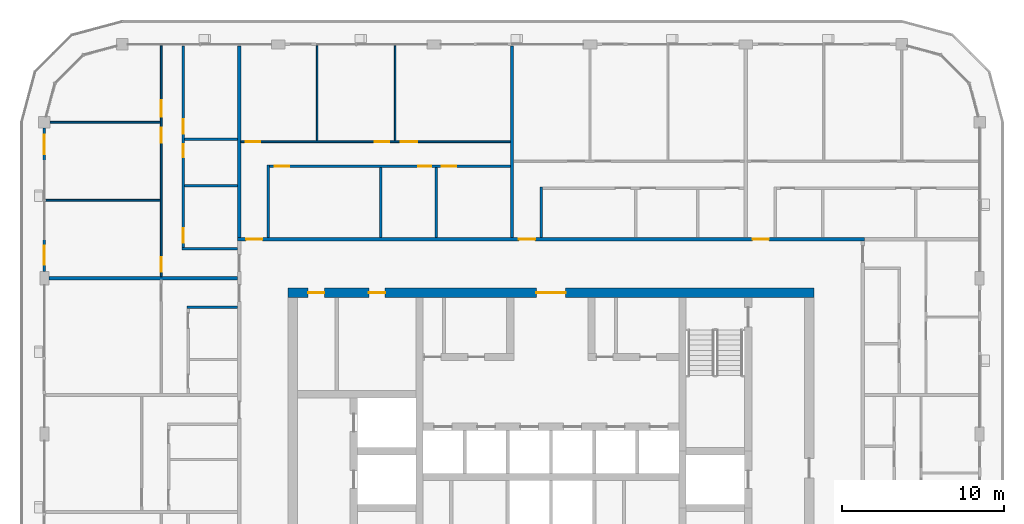
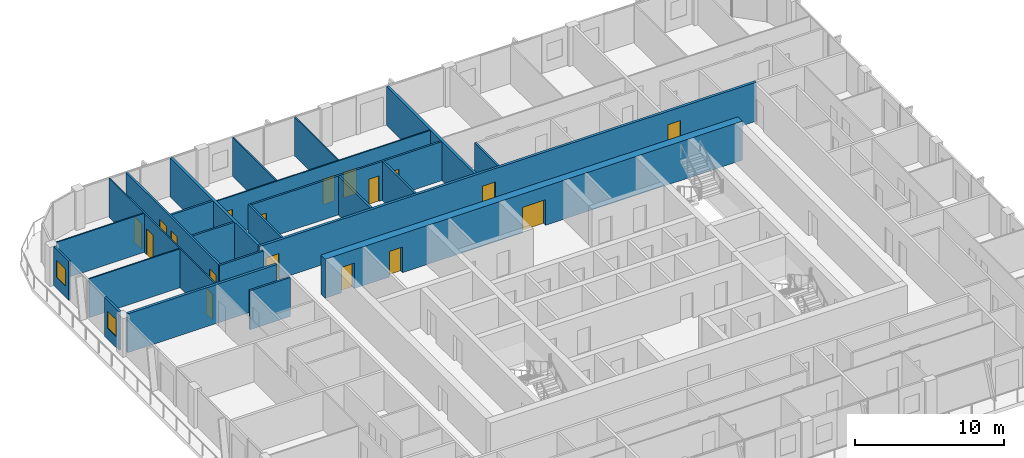
# One storey, part 14 of 22: 23 walls, 18 doors, 2 windows, 20 openings.
"""IFC4 building model written with IfcOpenShell, lengths in metres."""

from ifc_helpers import new_model, si_unit, direction, frame, frame_2d, origin, place, context, subcontext, project, spatial, rectangle, extrude, material, layer, layer_set, type_object, element, fill, save


model = new_model("IFC4")

# Units and contexts
model_context = context("Model", 3, precision=1e-05, world=origin(), true_north=direction((0.0, 1.0)))
body_context = subcontext(model_context, "Body", "Model", "MODEL_VIEW")
ifc_project = project(units=[si_unit("LENGTHUNIT", "METRE"), si_unit("AREAUNIT", "SQUARE_METRE"), si_unit("VOLUMEUNIT", "CUBIC_METRE"), si_unit("PLANEANGLEUNIT", "RADIAN"), si_unit("MASSUNIT", "GRAM", prefix="KILO")], contexts=[model_context])

# Site, building, storey
site_placement = place(None, origin())
site = spatial("IfcSite", under=ifc_project, at=site_placement, CompositionType="ELEMENT")
building_placement = place(site_placement, origin())
building = spatial("IfcBuilding", under=site, at=building_placement, Name="Madar Terraces", CompositionType="ELEMENT")
storey_placement = place(building_placement, frame((0.0, 0.0, 256.199951171875)))
storey = spatial("IfcBuildingStorey", under=building, at=storey_placement, Name="L67", CompositionType="ELEMENT", Elevation=256.199951171875)

# Wall, openings, doors
ifc_material_1 = material(Name="Concrete C55/67", Category="concrete")
ifc_layer_1 = layer(ifc_material_1, 0.60009765625)
ifc_layer_set_1 = layer_set([ifc_layer_1], Name="Concrete C55/67 (CRW5 RC wall 600)")
wall_type_1 = type_object("IfcWallType", Name="CRW5 RC wall 600", PredefinedType="SHEAR", material=ifc_layer_set_1)
wall_1_placement = place(storey_placement, frame((15.0, 37.5, 0.0), z_axis=(0.0, 0.0, 1.0), x_axis=(1.0, 0.0, 0.0)))
wall_1 = element("IfcWall", 1, at=wall_1_placement, inside=storey, type_object=wall_type_1, Name="CORE OUTER WALL", PredefinedType="SHEAR", context=body_context, shape_type="SweptSolid", body=[
    extrude(rectangle(XDim=32.39990234375, YDim=0.60009765625, at=frame_2d((16.199951171875, 0.0))), origin(), (0.0, 0.0, 1.0), 3.199951171875),
])
opening_1_placement = place(wall_1_placement, frame((15.300048828125, 0.0, 0.0)))
opening_1 = element("IfcOpeningElement", 2, at=opening_1_placement, cuts=wall_1, Name="Opening KD1", PredefinedType="OPENING", context=body_context, shape_type="SweptSolid", body=[
    extrude(rectangle(XDim=1.800048828125, YDim=2.10009765625, at=frame_2d((0.89990234375, 1.050048828125))), frame((0.0, 0.31005859375, 0.0), z_axis=(0.0, -1.0, 0.0), x_axis=(1.0, 0.0, 0.0)), (0.0, 0.0, 1.0), 0.6201171875),
])
opening_2_placement = place(wall_1_placement, frame((1.25048828125, 0.0, 0.0)))
opening_2 = element("IfcOpeningElement", 3, at=opening_2_placement, cuts=wall_1, Name="Opening KD2", PredefinedType="OPENING", context=body_context, shape_type="SweptSolid", body=[
    extrude(rectangle(XDim=1.0, YDim=2.10009765625, at=frame_2d((0.5, 1.050048828125))), frame((0.0, 0.31005859375, 0.0), z_axis=(0.0, -1.0, 0.0), x_axis=(1.0, 0.0, 0.0)), (0.0, 0.0, 1.0), 0.6201171875),
])
opening_3_placement = place(wall_1_placement, frame((4.98779296875, 0.0, 0.0)))
opening_3 = element("IfcOpeningElement", 4, at=opening_3_placement, cuts=wall_1, Name="Opening KD2", PredefinedType="OPENING", context=body_context, shape_type="SweptSolid", body=[
    extrude(rectangle(XDim=1.0, YDim=2.10009765625, at=frame_2d((0.5, 1.050048828125))), frame((0.0, 0.31005859375, 0.0), z_axis=(0.0, -1.0, 0.0), x_axis=(1.0, 0.0, 0.0)), (0.0, 0.0, 1.0), 0.6201171875),
])
ifc_material_2 = material(Name="Steel door leaf", Category="steel")
door_type_1 = type_object("IfcDoorType", Name="Lobby door pair 1800 x 2100", OperationType="DOUBLE_DOOR_SINGLE_SWING", PredefinedType="DOOR", material=ifc_material_2)
door_1_placement = place(opening_1_placement, origin())
door_1 = element("IfcDoor", 5, at=door_1_placement, inside=storey, type_object=door_type_1, Name="LIFT LOBBY DOOR", OperationType="DOUBLE_DOOR_SINGLE_SWING", OverallHeight=2.10009765625, OverallWidth=1.800048828125, PredefinedType="DOOR", context=body_context, shape_type="SweptSolid", body=[
    extrude(rectangle(XDim=1.800048828125, YDim=2.10009765625, at=frame_2d((0.89990234375, 1.050048828125))), frame((0.0, 0.02490234375, 0.0), z_axis=(0.0, -1.0, 0.0), x_axis=(1.0, 0.0, 0.0)), (0.0, 0.0, 1.0), 0.050048828125),
])
fill(opening_1, door_1)
ifc_material_3 = material(Name="Steel door leaf", Category="steel")
door_type_2 = type_object("IfcDoorType", Name="Service room door 1000 x 2100", OperationType="NOTDEFINED", PredefinedType="DOOR", material=ifc_material_3)
door_2_placement = place(opening_2_placement, origin())
door_2 = element("IfcDoor", 6, at=door_2_placement, inside=storey, type_object=door_type_2, Name="SERVICE ROOM DOOR", OperationType="SINGLE_SWING_RIGHT", OverallHeight=2.10009765625, OverallWidth=1.0, PredefinedType="DOOR", context=body_context, shape_type="SweptSolid", body=[
    extrude(rectangle(XDim=1.0, YDim=2.10009765625, at=frame_2d((0.5, 1.050048828125))), frame((0.0, 0.02490234375, 0.0), z_axis=(0.0, -1.0, 0.0), x_axis=(1.0, 0.0, 0.0)), (0.0, 0.0, 1.0), 0.050048828125),
])
fill(opening_2, door_2)
door_3_placement = place(opening_3_placement, origin())
door_3 = element("IfcDoor", 7, at=door_3_placement, inside=storey, type_object=door_type_2, Name="SERVICE ROOM DOOR", OperationType="SINGLE_SWING_LEFT", OverallHeight=2.10009765625, OverallWidth=1.0, PredefinedType="DOOR", context=body_context, shape_type="SweptSolid", body=[
    extrude(rectangle(XDim=1.0, YDim=2.10009765625, at=frame_2d((0.5, 1.050048828125))), frame((0.0, 0.02490234375, 0.0), z_axis=(0.0, -1.0, 0.0), x_axis=(1.0, 0.0, 0.0)), (0.0, 0.0, 1.0), 0.050048828125),
])
fill(opening_3, door_3)

# Wall, opening, window
ifc_material_4 = material(Name="Aluminium composite panel, black, over insulated backing", Category="aluminium")
ifc_layer_2 = layer(ifc_material_4, 0.14990234375)
ifc_layer_set_2 = layer_set([ifc_layer_2], Name="Facade bay panel 150")
wall_type_2 = type_object("IfcWallType", Name="Facade bay panel 150", PredefinedType="SOLIDWALL", material=ifc_layer_set_2)
wall_2_placement = place(storey_placement, frame((0.0, 47.64990234375, 0.0), z_axis=(0.0, 0.0, 1.0), x_axis=(0.0, -1.0, 0.0)))
wall_2 = element("IfcWall", 8, at=wall_2_placement, inside=storey, type_object=wall_type_2, Name="Facade bay panel", PredefinedType="SOLIDWALL", context=body_context, shape_type="SweptSolid", body=[
    extrude(rectangle(XDim=2.0498046875, YDim=0.14990234375, at=frame_2d((1.02490234375, 0.0))), origin(), (0.0, 0.0, 1.0), 3.199951171875),
])
opening_4_placement = place(wall_2_placement, frame((0.425048828125, 0.0, 0.89990234375)))
opening_4 = element("IfcOpeningElement", 9, at=opening_4_placement, cuts=wall_2, Name="Opening W1", PredefinedType="OPENING", context=body_context, shape_type="SweptSolid", body=[
    extrude(rectangle(XDim=1.199951171875, YDim=1.39990234375, at=frame_2d((0.60009765625, 0.699951171875))), frame((0.0, 0.0849609375, 0.0), z_axis=(0.0, -1.0, 0.0), x_axis=(1.0, 0.0, 0.0)), (0.0, 0.0, 1.0), 0.169921875),
])
ifc_material_5 = material(Name="Glass, clear, with black aluminium frame", Category="aluminium")
window_type = type_object("IfcWindowType", Name="Vent window 1200 x 1400", PartitioningType="SINGLE_PANEL", PredefinedType="WINDOW", material=ifc_material_5)
window_1_placement = place(opening_4_placement, origin())
window_1 = element("IfcWindow", 10, at=window_1_placement, inside=storey, type_object=window_type, Name="Operable vent window", OverallHeight=1.39990234375, OverallWidth=1.199951171875, PartitioningType="SINGLE_PANEL", PredefinedType="WINDOW", context=body_context, shape_type="SweptSolid", body=[
    extrude(rectangle(XDim=1.199951171875, YDim=1.39990234375, at=frame_2d((0.60009765625, 0.699951171875))), frame((0.0, 0.030029296875, 0.0), z_axis=(0.0, -1.0, 0.0), x_axis=(1.0, 0.0, 0.0)), (0.0, 0.0, 1.0), 0.06005859375),
])
fill(opening_4, window_1)

wall_3_placement = place(storey_placement, frame((0.0, 40.800048828125, 0.0), z_axis=(0.0, 0.0, 1.0), x_axis=(0.0, -1.0, 0.0)))
wall_3 = element("IfcWall", 11, at=wall_3_placement, inside=storey, type_object=wall_type_2, Name="Facade bay panel", PredefinedType="SOLIDWALL", context=body_context, shape_type="SweptSolid", body=[
    extrude(rectangle(XDim=1.97509765625, YDim=0.14990234375, at=frame_2d((0.987548828125, 0.0))), origin(), (0.0, 0.0, 1.0), 3.199951171875),
])
opening_5_placement = place(wall_3_placement, frame((0.387451171875, 0.0, 0.89990234375)))
opening_5 = element("IfcOpeningElement", 12, at=opening_5_placement, cuts=wall_3, Name="Opening W1", PredefinedType="OPENING", context=body_context, shape_type="SweptSolid", body=[
    extrude(rectangle(XDim=1.199951171875, YDim=1.39990234375, at=frame_2d((0.60009765625, 0.699951171875))), frame((0.0, 0.0849609375, 0.0), z_axis=(0.0, -1.0, 0.0), x_axis=(1.0, 0.0, 0.0)), (0.0, 0.0, 1.0), 0.169921875),
])
window_2_placement = place(opening_5_placement, origin())
window_2 = element("IfcWindow", 13, at=window_2_placement, inside=storey, type_object=window_type, Name="Operable vent window", OverallHeight=1.39990234375, OverallWidth=1.199951171875, PartitioningType="SINGLE_PANEL", PredefinedType="WINDOW", context=body_context, shape_type="SweptSolid", body=[
    extrude(rectangle(XDim=1.199951171875, YDim=1.39990234375, at=frame_2d((0.60009765625, 0.699951171875))), frame((0.0, 0.030029296875, 0.0), z_axis=(0.0, -1.0, 0.0), x_axis=(1.0, 0.0, 0.0)), (0.0, 0.0, 1.0), 0.06005859375),
])
fill(opening_5, window_2)

# Walls
ifc_material_6 = material(Name="Gypsum board on steel studs", Category="steel")
ifc_layer_3 = layer(ifc_material_6, 0.10009765625)
ifc_layer_set_3 = layer_set([ifc_layer_3], Name="Flat partition 100")
wall_type_3 = type_object("IfcWallType", Name="Flat partition 100", PredefinedType="PARTITIONING", material=ifc_layer_set_3)
for number, where, z_axis, x_axis, name in (
    (14, (16.800048828125, 46.85009765625, 0.0), (0.0, 0.0, 1.0), (0.0, 1.0, 0.0), "Flat partition 100"),
    (15, (21.60009765625, 46.85009765625, 0.0), (0.0, 0.0, 1.0), (0.0, 1.0, 0.0), "Flat partition 100"),
):
    element("IfcWall", number, at=place(storey_placement, frame(where, z_axis=z_axis, x_axis=x_axis)), inside=storey, type_object=wall_type_3, Name=name, PredefinedType="PARTITIONING", context=body_context, shape_type="SweptSolid", body=[
        extrude(rectangle(XDim=5.849853515625, YDim=0.10009765625, at=frame_2d((2.9248046875, 0.0))), origin(), (0.0, 0.0, 1.0), 3.199951171875),
    ])

# Wall, openings, doors
wall_4_placement = place(storey_placement, frame((12.10009765625, 46.800048828125, 0.0), z_axis=(0.0, 0.0, 1.0), x_axis=(1.0, 0.0, 0.0)))
wall_4 = element("IfcWall", 16, at=wall_4_placement, inside=storey, type_object=wall_type_3, Name="Flat partition 100", PredefinedType="PARTITIONING", context=body_context, shape_type="SweptSolid", body=[
    extrude(rectangle(XDim=16.599853515625, YDim=0.10009765625, at=frame_2d((8.2998046875, 0.0))), origin(), (0.0, 0.0, 1.0), 3.199951171875),
])
opening_6_placement = place(wall_4_placement, frame((0.300048828125, 0.0, 0.0)))
opening_6 = element("IfcOpeningElement", 17, at=opening_6_placement, cuts=wall_4, Name="Opening D2", PredefinedType="OPENING", context=body_context, shape_type="SweptSolid", body=[
    extrude(rectangle(XDim=0.89990234375, YDim=2.10009765625, at=frame_2d((0.449951171875, 1.050048828125))), frame((0.0, 0.06005859375, 0.0), z_axis=(0.0, -1.0, 0.0), x_axis=(1.0, 0.0, 0.0)), (0.0, 0.0, 1.0), 0.1201171875),
])
opening_7_placement = place(wall_4_placement, frame((8.25, 0.0, 0.0)))
opening_7 = element("IfcOpeningElement", 18, at=opening_7_placement, cuts=wall_4, Name="Opening D2", PredefinedType="OPENING", context=body_context, shape_type="SweptSolid", body=[
    extrude(rectangle(XDim=0.89990234375, YDim=2.10009765625, at=frame_2d((0.449951171875, 1.050048828125))), frame((0.0, 0.06005859375, 0.0), z_axis=(0.0, -1.0, 0.0), x_axis=(1.0, 0.0, 0.0)), (0.0, 0.0, 1.0), 0.1201171875),
])
opening_8_placement = place(wall_4_placement, frame((9.85009765625, 0.0, 0.0)))
opening_8 = element("IfcOpeningElement", 19, at=opening_8_placement, cuts=wall_4, Name="Opening D3", PredefinedType="OPENING", context=body_context, shape_type="SweptSolid", body=[
    extrude(rectangle(XDim=1.0, YDim=2.10009765625, at=frame_2d((0.5, 1.050048828125))), frame((0.0, 0.06005859375, 0.0), z_axis=(0.0, -1.0, 0.0), x_axis=(1.0, 0.0, 0.0)), (0.0, 0.0, 1.0), 0.1201171875),
])
ifc_material_7 = material(Name="Timber door leaf", Category="wood")
door_type_3 = type_object("IfcDoorType", Name="Flat living room door 1000", OperationType="NOTDEFINED", PredefinedType="DOOR", material=ifc_material_7)
door_4_placement = place(opening_8_placement, origin())
door_4 = element("IfcDoor", 20, at=door_4_placement, inside=storey, type_object=door_type_3, Name="Flat living room door 1000", OperationType="SINGLE_SWING_LEFT", OverallHeight=2.10009765625, OverallWidth=1.0, PredefinedType="DOOR", context=body_context, shape_type="SweptSolid", body=[
    extrude(rectangle(XDim=1.0, YDim=2.10009765625, at=frame_2d((0.5, 1.050048828125))), frame((0.0, 0.02490234375, 0.0), z_axis=(0.0, -1.0, 0.0), x_axis=(1.0, 0.0, 0.0)), (0.0, 0.0, 1.0), 0.050048828125),
])
fill(opening_8, door_4)
ifc_material_8 = material(Name="Timber door leaf", Category="wood")
door_type_4 = type_object("IfcDoorType", Name="Flat room door 900", OperationType="NOTDEFINED", PredefinedType="DOOR", material=ifc_material_8)
door_5_placement = place(opening_6_placement, origin())
door_5 = element("IfcDoor", 21, at=door_5_placement, inside=storey, type_object=door_type_4, Name="Flat room door 900", OperationType="SINGLE_SWING_LEFT", OverallHeight=2.10009765625, OverallWidth=0.89990234375, PredefinedType="DOOR", context=body_context, shape_type="SweptSolid", body=[
    extrude(rectangle(XDim=0.89990234375, YDim=2.10009765625, at=frame_2d((0.449951171875, 1.050048828125))), frame((0.0, 0.02490234375, 0.0), z_axis=(0.0, -1.0, 0.0), x_axis=(1.0, 0.0, 0.0)), (0.0, 0.0, 1.0), 0.050048828125),
])
fill(opening_6, door_5)
door_6_placement = place(opening_7_placement, origin())
door_6 = element("IfcDoor", 22, at=door_6_placement, inside=storey, type_object=door_type_4, Name="Flat room door 900", OperationType="SINGLE_SWING_RIGHT", OverallHeight=2.10009765625, OverallWidth=0.89990234375, PredefinedType="DOOR", context=body_context, shape_type="SweptSolid", body=[
    extrude(rectangle(XDim=0.89990234375, YDim=2.10009765625, at=frame_2d((0.449951171875, 1.050048828125))), frame((0.0, 0.02490234375, 0.0), z_axis=(0.0, -1.0, 0.0), x_axis=(1.0, 0.0, 0.0)), (0.0, 0.0, 1.0), 0.050048828125),
])
fill(opening_7, door_6)

# Walls
wall_5_placement = place(storey_placement, frame((7.14990234375, 43.199951171875, 0.0), z_axis=(0.0, 0.0, 1.0), x_axis=(-1.0, 0.0, 0.0)))
element("IfcWall", 23, at=wall_5_placement, inside=storey, type_object=wall_type_3, Name="Flat partition 100", PredefinedType="PARTITIONING", context=body_context, shape_type="SweptSolid", body=[
    extrude(rectangle(XDim=7.0498046875, YDim=0.10009765625, at=frame_2d((3.52490234375, 0.0))), origin(), (0.0, 0.0, 1.0), 3.199951171875),
])
wall_6_placement = place(storey_placement, frame((7.14990234375, 48.0, 0.0), z_axis=(0.0, 0.0, 1.0), x_axis=(-1.0, 0.0, 0.0)))
element("IfcWall", 24, at=wall_6_placement, inside=storey, type_object=wall_type_3, Name="Flat partition 100", PredefinedType="PARTITIONING", context=body_context, shape_type="SweptSolid", body=[
    extrude(rectangle(XDim=6.7998046875, YDim=0.10009765625, at=frame_2d((3.39990234375, 0.0))), origin(), (0.0, 0.0, 1.0), 3.199951171875),
])

# Wall, openings, doors
wall_7_placement = place(storey_placement, frame((7.199951171875, 38.5, 0.0), z_axis=(0.0, 0.0, 1.0), x_axis=(0.0, 1.0, 0.0)))
wall_7 = element("IfcWall", 25, at=wall_7_placement, inside=storey, type_object=wall_type_3, Name="Flat partition 100", PredefinedType="PARTITIONING", context=body_context, shape_type="SweptSolid", body=[
    extrude(rectangle(XDim=14.199951171875, YDim=0.10009765625, at=frame_2d((7.10009765625, 0.0))), origin(), (0.0, 0.0, 1.0), 3.199951171875),
])
opening_9_placement = place(wall_7_placement, frame((0.300048828125, 0.0, 0.0)))
opening_9 = element("IfcOpeningElement", 26, at=opening_9_placement, cuts=wall_7, Name="Opening D2", PredefinedType="OPENING", context=body_context, shape_type="SweptSolid", body=[
    extrude(rectangle(XDim=0.89990234375, YDim=2.10009765625, at=frame_2d((0.449951171875, 1.050048828125))), frame((0.0, 0.06005859375, 0.0), z_axis=(0.0, -1.0, 0.0), x_axis=(1.0, 0.0, 0.0)), (0.0, 0.0, 1.0), 0.1201171875),
])
opening_10_placement = place(wall_7_placement, frame((8.25, 0.0, 0.0)))
opening_10 = element("IfcOpeningElement", 27, at=opening_10_placement, cuts=wall_7, Name="Opening D2", PredefinedType="OPENING", context=body_context, shape_type="SweptSolid", body=[
    extrude(rectangle(XDim=0.89990234375, YDim=2.10009765625, at=frame_2d((0.449951171875, 1.050048828125))), frame((0.0, 0.06005859375, 0.0), z_axis=(0.0, -1.0, 0.0), x_axis=(1.0, 0.0, 0.0)), (0.0, 0.0, 1.0), 0.1201171875),
])
opening_11_placement = place(wall_7_placement, frame((9.85009765625, 0.0, 0.0)))
opening_11 = element("IfcOpeningElement", 28, at=opening_11_placement, cuts=wall_7, Name="Opening D3", PredefinedType="OPENING", context=body_context, shape_type="SweptSolid", body=[
    extrude(rectangle(XDim=1.0, YDim=2.10009765625, at=frame_2d((0.5, 1.050048828125))), frame((0.0, 0.06005859375, 0.0), z_axis=(0.0, -1.0, 0.0), x_axis=(1.0, 0.0, 0.0)), (0.0, 0.0, 1.0), 0.1201171875),
])
door_7_placement = place(opening_11_placement, origin())
door_7 = element("IfcDoor", 29, at=door_7_placement, inside=storey, type_object=door_type_3, Name="Flat living room door 1000", OperationType="SINGLE_SWING_LEFT", OverallHeight=2.10009765625, OverallWidth=1.0, PredefinedType="DOOR", context=body_context, shape_type="SweptSolid", body=[
    extrude(rectangle(XDim=1.0, YDim=2.10009765625, at=frame_2d((0.5, 1.050048828125))), frame((0.0, 0.02490234375, 0.0), z_axis=(0.0, -1.0, 0.0), x_axis=(1.0, 0.0, 0.0)), (0.0, 0.0, 1.0), 0.050048828125),
])
fill(opening_11, door_7)
door_8_placement = place(opening_9_placement, origin())
door_8 = element("IfcDoor", 30, at=door_8_placement, inside=storey, type_object=door_type_4, Name="Flat room door 900", OperationType="SINGLE_SWING_LEFT", OverallHeight=2.10009765625, OverallWidth=0.89990234375, PredefinedType="DOOR", context=body_context, shape_type="SweptSolid", body=[
    extrude(rectangle(XDim=0.89990234375, YDim=2.10009765625, at=frame_2d((0.449951171875, 1.050048828125))), frame((0.0, 0.02490234375, 0.0), z_axis=(0.0, -1.0, 0.0), x_axis=(1.0, 0.0, 0.0)), (0.0, 0.0, 1.0), 0.050048828125),
])
fill(opening_9, door_8)
door_9_placement = place(opening_10_placement, origin())
door_9 = element("IfcDoor", 31, at=door_9_placement, inside=storey, type_object=door_type_4, Name="Flat room door 900", OperationType="SINGLE_SWING_RIGHT", OverallHeight=2.10009765625, OverallWidth=0.89990234375, PredefinedType="DOOR", context=body_context, shape_type="SweptSolid", body=[
    extrude(rectangle(XDim=0.89990234375, YDim=2.10009765625, at=frame_2d((0.449951171875, 1.050048828125))), frame((0.0, 0.02490234375, 0.0), z_axis=(0.0, -1.0, 0.0), x_axis=(1.0, 0.0, 0.0)), (0.0, 0.0, 1.0), 0.050048828125),
])
fill(opening_10, door_9)

ifc_material_9 = material(Name="Lightweight blockwork", Category="masonry")
ifc_layer_4 = layer(ifc_material_9, 0.199951171875)
ifc_layer_set_4 = layer_set([ifc_layer_4], Name="Flat party and entrance wall 200")
wall_type_4 = type_object("IfcWallType", Name="Flat party and entrance wall 200", PredefinedType="PARTITIONING", material=ifc_layer_set_4)
wall_8_placement = place(storey_placement, frame((11.89990234375, 40.800048828125, 0.0), z_axis=(0.0, 0.0, 1.0), x_axis=(1.0, 0.0, 0.0)))
wall_8 = element("IfcWall", 32, at=wall_8_placement, inside=storey, type_object=wall_type_4, Name="Flat party and entrance wall 200", PredefinedType="PARTITIONING", context=body_context, shape_type="SweptSolid", body=[
    extrude(rectangle(XDim=38.60009765625, YDim=0.199951171875, at=frame_2d((19.300048828125, 0.0))), origin(), (0.0, 0.0, 1.0), 3.199951171875),
])
opening_12_placement = place(wall_8_placement, frame((31.72509765625, 0.0, 0.0)))
opening_12 = element("IfcOpeningElement", 33, at=opening_12_placement, cuts=wall_8, Name="Opening D1", PredefinedType="OPENING", context=body_context, shape_type="SweptSolid", body=[
    extrude(rectangle(XDim=1.0, YDim=2.10009765625, at=frame_2d((0.5, 1.050048828125))), frame((0.0, 0.10986328125, 0.0), z_axis=(0.0, -1.0, 0.0), x_axis=(1.0, 0.0, 0.0)), (0.0, 0.0, 1.0), 0.219970703125),
])
opening_13_placement = place(wall_8_placement, frame((17.324951171875, 0.0, 0.0)))
opening_13 = element("IfcOpeningElement", 34, at=opening_13_placement, cuts=wall_8, Name="Opening D1", PredefinedType="OPENING", context=body_context, shape_type="SweptSolid", body=[
    extrude(rectangle(XDim=1.0, YDim=2.10009765625, at=frame_2d((0.5, 1.050048828125))), frame((0.0, 0.10986328125, 0.0), z_axis=(0.0, -1.0, 0.0), x_axis=(1.0, 0.0, 0.0)), (0.0, 0.0, 1.0), 0.219970703125),
])
opening_14_placement = place(wall_8_placement, frame((0.52490234375, 0.0, 0.0)))
opening_14 = element("IfcOpeningElement", 35, at=opening_14_placement, cuts=wall_8, Name="Opening D1", PredefinedType="OPENING", context=body_context, shape_type="SweptSolid", body=[
    extrude(rectangle(XDim=1.0, YDim=2.10009765625, at=frame_2d((0.5, 1.050048828125))), frame((0.0, 0.10986328125, 0.0), z_axis=(0.0, -1.0, 0.0), x_axis=(1.0, 0.0, 0.0)), (0.0, 0.0, 1.0), 0.219970703125),
])
ifc_material_10 = material(Name="Timber fire door leaf", Category="wood")
door_type_5 = type_object("IfcDoorType", Name="Flat entrance door 1000 FD30S", OperationType="NOTDEFINED", PredefinedType="DOOR", material=ifc_material_10)
door_10_placement = place(opening_12_placement, origin())
door_10 = element("IfcDoor", 36, at=door_10_placement, inside=storey, type_object=door_type_5, Name="Flat entrance door 1000 FD30S", OperationType="SINGLE_SWING_LEFT", OverallHeight=2.10009765625, OverallWidth=1.0, PredefinedType="DOOR", context=body_context, shape_type="SweptSolid", body=[
    extrude(rectangle(XDim=1.0, YDim=2.10009765625, at=frame_2d((0.5, 1.050048828125))), frame((0.0, 0.02490234375, 0.0), z_axis=(0.0, -1.0, 0.0), x_axis=(1.0, 0.0, 0.0)), (0.0, 0.0, 1.0), 0.050048828125),
])
fill(opening_12, door_10)
door_11_placement = place(opening_13_placement, origin())
door_11 = element("IfcDoor", 37, at=door_11_placement, inside=storey, type_object=door_type_5, Name="Flat entrance door 1000 FD30S", OperationType="SINGLE_SWING_LEFT", OverallHeight=2.10009765625, OverallWidth=1.0, PredefinedType="DOOR", context=body_context, shape_type="SweptSolid", body=[
    extrude(rectangle(XDim=1.0, YDim=2.10009765625, at=frame_2d((0.5, 1.050048828125))), frame((0.0, 0.02490234375, 0.0), z_axis=(0.0, -1.0, 0.0), x_axis=(1.0, 0.0, 0.0)), (0.0, 0.0, 1.0), 0.050048828125),
])
fill(opening_13, door_11)
door_12_placement = place(opening_14_placement, origin())
door_12 = element("IfcDoor", 38, at=door_12_placement, inside=storey, type_object=door_type_5, Name="Flat entrance door 1000 FD30S", OperationType="SINGLE_SWING_LEFT", OverallHeight=2.10009765625, OverallWidth=1.0, PredefinedType="DOOR", context=body_context, shape_type="SweptSolid", body=[
    extrude(rectangle(XDim=1.0, YDim=2.10009765625, at=frame_2d((0.5, 1.050048828125))), frame((0.0, 0.02490234375, 0.0), z_axis=(0.0, -1.0, 0.0), x_axis=(1.0, 0.0, 0.0)), (0.0, 0.0, 1.0), 0.050048828125),
])
fill(opening_14, door_12)

# Walls
for number, where, z_axis, x_axis, name in (
    (39, (28.800048828125, 52.699951171875, 0.0), (0.0, 0.0, 1.0), (0.0, -1.0, 0.0), "Flat party and entrance wall 200"),
    (40, (12.0, 52.699951171875, 0.0), (0.0, 0.0, 1.0), (0.0, -1.0, 0.0), "Flat party and entrance wall 200"),
):
    element("IfcWall", number, at=place(storey_placement, frame(where, z_axis=z_axis, x_axis=x_axis)), inside=storey, type_object=wall_type_4, Name=name, PredefinedType="PARTITIONING", context=body_context, shape_type="SweptSolid", body=[
        extrude(rectangle(XDim=11.800048828125, YDim=0.199951171875, at=frame_2d((5.89990234375, 0.0))), origin(), (0.0, 0.0, 1.0), 3.199951171875),
    ])
wall_9_placement = place(storey_placement, frame((0.27490234375, 38.39990234375, 0.0), z_axis=(0.0, 0.0, 1.0), x_axis=(1.0, 0.0, 0.0)))
element("IfcWall", 41, at=wall_9_placement, inside=storey, type_object=wall_type_4, Name="Flat party and entrance wall 200", PredefinedType="PARTITIONING", context=body_context, shape_type="SweptSolid", body=[
    extrude(rectangle(XDim=11.625, YDim=0.199951171875, at=frame_2d((5.8125, 0.0))), origin(), (0.0, 0.0, 1.0), 3.199951171875),
])
ifc_material_11 = material(Name="Lightweight blockwork", Category="masonry")
ifc_layer_5 = layer(ifc_material_11, 0.14990234375)
ifc_layer_set_5 = layer_set([ifc_layer_5], Name="Flat wet-room partition 150")
wall_type_5 = type_object("IfcWallType", Name="Flat wet-room partition 150", PredefinedType="PARTITIONING", material=ifc_layer_set_5)
wall_10_placement = place(storey_placement, frame((30.60009765625, 40.89990234375, 0.0), z_axis=(0.0, 0.0, 1.0), x_axis=(0.0, 1.0, 0.0)))
element("IfcWall", 42, at=wall_10_placement, inside=storey, type_object=wall_type_5, Name="Flat wet-room partition 150", PredefinedType="PARTITIONING", context=body_context, shape_type="SweptSolid", body=[
    extrude(rectangle(XDim=3.125, YDim=0.14990234375, at=frame_2d((1.5625, 0.0))), origin(), (0.0, 0.0, 1.0), 3.199951171875),
])
for number, where, z_axis, x_axis, name in (
    (43, (20.71728515625, 40.89990234375, 0.0), (0.0, 0.0, 1.0), (0.0, 1.0, 0.0), "Flat wet-room partition 150"),
    (44, (24.138427734375, 40.89990234375, 0.0), (0.0, 0.0, 1.0), (0.0, 1.0, 0.0), "Flat wet-room partition 150"),
):
    element("IfcWall", number, at=place(storey_placement, frame(where, z_axis=z_axis, x_axis=x_axis)), inside=storey, type_object=wall_type_5, Name=name, PredefinedType="PARTITIONING", context=body_context, shape_type="SweptSolid", body=[
        extrude(rectangle(XDim=4.3251953125, YDim=0.14990234375, at=frame_2d((2.16259765625, 0.0))), origin(), (0.0, 0.0, 1.0), 3.199951171875),
    ])
wall_11_placement = place(storey_placement, frame((13.800048828125, 40.89990234375, 0.0), z_axis=(0.0, 0.0, 1.0), x_axis=(0.0, 1.0, 0.0)))
element("IfcWall", 45, at=wall_11_placement, inside=storey, type_object=wall_type_5, Name="Flat wet-room partition 150", PredefinedType="PARTITIONING", context=body_context, shape_type="SweptSolid", body=[
    extrude(rectangle(XDim=4.47509765625, YDim=0.14990234375, at=frame_2d((2.237548828125, 0.0))), origin(), (0.0, 0.0, 1.0), 3.199951171875),
])

# Wall, openings, doors
wall_12_placement = place(storey_placement, frame((28.699951171875, 45.300048828125, 0.0), z_axis=(0.0, 0.0, 1.0), x_axis=(-1.0, 0.0, 0.0)))
wall_12 = element("IfcWall", 46, at=wall_12_placement, inside=storey, type_object=wall_type_5, Name="Flat wet-room partition 150", PredefinedType="PARTITIONING", context=body_context, shape_type="SweptSolid", body=[
    extrude(rectangle(XDim=14.824951171875, YDim=0.14990234375, at=frame_2d((7.41259765625, 0.0))), origin(), (0.0, 0.0, 1.0), 3.199951171875),
])
opening_15_placement = place(wall_12_placement, frame((13.625, 0.0, 0.0)))
opening_15 = element("IfcOpeningElement", 47, at=opening_15_placement, cuts=wall_12, Name="Opening D2", PredefinedType="OPENING", context=body_context, shape_type="SweptSolid", body=[
    extrude(rectangle(XDim=0.89990234375, YDim=2.10009765625, at=frame_2d((0.449951171875, 1.050048828125))), frame((0.0, 0.0849609375, 0.0), z_axis=(0.0, -1.0, 0.0), x_axis=(1.0, 0.0, 0.0)), (0.0, 0.0, 1.0), 0.169921875),
])
opening_16_placement = place(wall_12_placement, frame((4.886474609375, 0.0, 0.0)))
opening_16 = element("IfcOpeningElement", 48, at=opening_16_placement, cuts=wall_12, Name="Opening D4", PredefinedType="OPENING", context=body_context, shape_type="SweptSolid", body=[
    extrude(rectangle(XDim=0.800048828125, YDim=2.10009765625, at=frame_2d((0.39990234375, 1.050048828125))), frame((0.0, 0.0849609375, 0.0), z_axis=(0.0, -1.0, 0.0), x_axis=(1.0, 0.0, 0.0)), (0.0, 0.0, 1.0), 0.169921875),
])
opening_17_placement = place(wall_12_placement, frame((3.33642578125, 0.0, 0.0)))
opening_17 = element("IfcOpeningElement", 49, at=opening_17_placement, cuts=wall_12, Name="Opening D5", PredefinedType="OPENING", context=body_context, shape_type="SweptSolid", body=[
    extrude(rectangle(XDim=0.89990234375, YDim=2.10009765625, at=frame_2d((0.449951171875, 1.050048828125))), frame((0.0, 0.0849609375, 0.0), z_axis=(0.0, -1.0, 0.0), x_axis=(1.0, 0.0, 0.0)), (0.0, 0.0, 1.0), 0.169921875),
])
ifc_material_12 = material(Name="Timber door leaf", Category="wood")
door_type_6 = type_object("IfcDoorType", Name="Flat accessible bathroom door 900", OperationType="NOTDEFINED", PredefinedType="DOOR", material=ifc_material_12)
door_13_placement = place(opening_17_placement, origin())
door_13 = element("IfcDoor", 50, at=door_13_placement, inside=storey, type_object=door_type_6, Name="Flat accessible bathroom door 900", OperationType="SINGLE_SWING_RIGHT", OverallHeight=2.10009765625, OverallWidth=0.89990234375, PredefinedType="DOOR", context=body_context, shape_type="SweptSolid", body=[
    extrude(rectangle(XDim=0.89990234375, YDim=2.10009765625, at=frame_2d((0.449951171875, 1.050048828125))), frame((0.0, 0.02490234375, 0.0), z_axis=(0.0, -1.0, 0.0), x_axis=(1.0, 0.0, 0.0)), (0.0, 0.0, 1.0), 0.050048828125),
])
fill(opening_17, door_13)
ifc_material_13 = material(Name="Timber door leaf", Category="wood")
door_type_7 = type_object("IfcDoorType", Name="Flat bathroom door 800", OperationType="NOTDEFINED", PredefinedType="DOOR", material=ifc_material_13)
door_14_placement = place(opening_16_placement, origin())
door_14 = element("IfcDoor", 51, at=door_14_placement, inside=storey, type_object=door_type_7, Name="Flat bathroom door 800", OperationType="SINGLE_SWING_LEFT", OverallHeight=2.10009765625, OverallWidth=0.800048828125, PredefinedType="DOOR", context=body_context, shape_type="SweptSolid", body=[
    extrude(rectangle(XDim=0.800048828125, YDim=2.10009765625, at=frame_2d((0.39990234375, 1.050048828125))), frame((0.0, 0.02490234375, 0.0), z_axis=(0.0, -1.0, 0.0), x_axis=(1.0, 0.0, 0.0)), (0.0, 0.0, 1.0), 0.050048828125),
])
fill(opening_16, door_14)
door_15_placement = place(opening_15_placement, origin())
door_15 = element("IfcDoor", 52, at=door_15_placement, inside=storey, type_object=door_type_4, Name="Flat room door 900", OperationType="SINGLE_SWING_RIGHT", OverallHeight=2.10009765625, OverallWidth=0.89990234375, PredefinedType="DOOR", context=body_context, shape_type="SweptSolid", body=[
    extrude(rectangle(XDim=0.89990234375, YDim=2.10009765625, at=frame_2d((0.449951171875, 1.050048828125))), frame((0.0, 0.02490234375, 0.0), z_axis=(0.0, -1.0, 0.0), x_axis=(1.0, 0.0, 0.0)), (0.0, 0.0, 1.0), 0.050048828125),
])
fill(opening_15, door_15)

# Walls
for number, where, z_axis, x_axis, name in (
    (53, (11.89990234375, 44.09814453125, 0.0), (0.0, 0.0, 1.0), (-1.0, 0.0, 0.0), "Flat wet-room partition 150"),
    (54, (11.89990234375, 46.96533203125, 0.0), (0.0, 0.0, 1.0), (-1.0, 0.0, 0.0), "Flat wet-room partition 150"),
):
    element("IfcWall", number, at=place(storey_placement, frame(where, z_axis=z_axis, x_axis=x_axis)), inside=storey, type_object=wall_type_5, Name=name, PredefinedType="PARTITIONING", context=body_context, shape_type="SweptSolid", body=[
        extrude(rectangle(XDim=3.27490234375, YDim=0.14990234375, at=frame_2d((1.637451171875, 0.0))), origin(), (0.0, 0.0, 1.0), 3.199951171875),
    ])
wall_13_placement = place(storey_placement, frame((11.89990234375, 40.199951171875, 0.0), z_axis=(0.0, 0.0, 1.0), x_axis=(-1.0, 0.0, 0.0)))
element("IfcWall", 55, at=wall_13_placement, inside=storey, type_object=wall_type_5, Name="Flat wet-room partition 150", PredefinedType="PARTITIONING", context=body_context, shape_type="SweptSolid", body=[
    extrude(rectangle(XDim=3.4248046875, YDim=0.14990234375, at=frame_2d((1.71240234375, 0.0))), origin(), (0.0, 0.0, 1.0), 3.199951171875),
])

# Wall, openings, doors
wall_14_placement = place(storey_placement, frame((8.550048828125, 52.699951171875, 0.0), z_axis=(0.0, 0.0, 1.0), x_axis=(0.0, -1.0, 0.0)))
wall_14 = element("IfcWall", 56, at=wall_14_placement, inside=storey, type_object=wall_type_5, Name="Flat wet-room partition 150", PredefinedType="PARTITIONING", context=body_context, shape_type="SweptSolid", body=[
    extrude(rectangle(XDim=12.425048828125, YDim=0.14990234375, at=frame_2d((6.21240234375, 0.0))), origin(), (0.0, 0.0, 1.0), 3.199951171875),
])
opening_18_placement = place(wall_14_placement, frame((11.22509765625, 0.0, 0.0)))
opening_18 = element("IfcOpeningElement", 57, at=opening_18_placement, cuts=wall_14, Name="Opening D5", PredefinedType="OPENING", context=body_context, shape_type="SweptSolid", body=[
    extrude(rectangle(XDim=0.89990234375, YDim=2.10009765625, at=frame_2d((0.449951171875, 1.050048828125))), frame((0.0, 0.0849609375, 0.0), z_axis=(0.0, -1.0, 0.0), x_axis=(1.0, 0.0, 0.0)), (0.0, 0.0, 1.0), 0.169921875),
])
opening_19_placement = place(wall_14_placement, frame((6.0595703125, 0.0, 0.0)))
opening_19 = element("IfcOpeningElement", 58, at=opening_19_placement, cuts=wall_14, Name="Opening D4", PredefinedType="OPENING", context=body_context, shape_type="SweptSolid", body=[
    extrude(rectangle(XDim=0.800048828125, YDim=2.10009765625, at=frame_2d((0.39990234375, 1.050048828125))), frame((0.0, 0.0849609375, 0.0), z_axis=(0.0, -1.0, 0.0), x_axis=(1.0, 0.0, 0.0)), (0.0, 0.0, 1.0), 0.169921875),
])
opening_20_placement = place(wall_14_placement, frame((4.509521484375, 0.0, 0.0)))
opening_20 = element("IfcOpeningElement", 59, at=opening_20_placement, cuts=wall_14, Name="Opening D2", PredefinedType="OPENING", context=body_context, shape_type="SweptSolid", body=[
    extrude(rectangle(XDim=0.89990234375, YDim=2.10009765625, at=frame_2d((0.449951171875, 1.050048828125))), frame((0.0, 0.0849609375, 0.0), z_axis=(0.0, -1.0, 0.0), x_axis=(1.0, 0.0, 0.0)), (0.0, 0.0, 1.0), 0.169921875),
])
door_16_placement = place(opening_18_placement, origin())
door_16 = element("IfcDoor", 60, at=door_16_placement, inside=storey, type_object=door_type_6, Name="Flat accessible bathroom door 900", OperationType="SINGLE_SWING_RIGHT", OverallHeight=2.10009765625, OverallWidth=0.89990234375, PredefinedType="DOOR", context=body_context, shape_type="SweptSolid", body=[
    extrude(rectangle(XDim=0.89990234375, YDim=2.10009765625, at=frame_2d((0.449951171875, 1.050048828125))), frame((0.0, 0.02490234375, 0.0), z_axis=(0.0, -1.0, 0.0), x_axis=(1.0, 0.0, 0.0)), (0.0, 0.0, 1.0), 0.050048828125),
])
fill(opening_18, door_16)
door_17_placement = place(opening_19_placement, origin())
door_17 = element("IfcDoor", 61, at=door_17_placement, inside=storey, type_object=door_type_7, Name="Flat bathroom door 800", OperationType="SINGLE_SWING_LEFT", OverallHeight=2.10009765625, OverallWidth=0.800048828125, PredefinedType="DOOR", context=body_context, shape_type="SweptSolid", body=[
    extrude(rectangle(XDim=0.800048828125, YDim=2.10009765625, at=frame_2d((0.39990234375, 1.050048828125))), frame((0.0, 0.02490234375, 0.0), z_axis=(0.0, -1.0, 0.0), x_axis=(1.0, 0.0, 0.0)), (0.0, 0.0, 1.0), 0.050048828125),
])
fill(opening_19, door_17)
door_18_placement = place(opening_20_placement, origin())
door_18 = element("IfcDoor", 62, at=door_18_placement, inside=storey, type_object=door_type_4, Name="Flat room door 900", OperationType="SINGLE_SWING_RIGHT", OverallHeight=2.10009765625, OverallWidth=0.89990234375, PredefinedType="DOOR", context=body_context, shape_type="SweptSolid", body=[
    extrude(rectangle(XDim=0.89990234375, YDim=2.10009765625, at=frame_2d((0.449951171875, 1.050048828125))), frame((0.0, 0.02490234375, 0.0), z_axis=(0.0, -1.0, 0.0), x_axis=(1.0, 0.0, 0.0)), (0.0, 0.0, 1.0), 0.050048828125),
])
fill(opening_20, door_18)

# Wall
wall_15_placement = place(storey_placement, frame((11.89990234375, 36.60009765625, 0.0), z_axis=(0.0, 0.0, 1.0), x_axis=(-1.0, 0.0, 0.0)))
element("IfcWall", 63, at=wall_15_placement, inside=storey, type_object=wall_type_5, Name="Flat wet-room partition 150", PredefinedType="PARTITIONING", context=body_context, shape_type="SweptSolid", body=[
    extrude(rectangle(XDim=3.125, YDim=0.14990234375, at=frame_2d((1.5625, 0.0))), origin(), (0.0, 0.0, 1.0), 3.199951171875),
])

save(model, "model.ifc")
